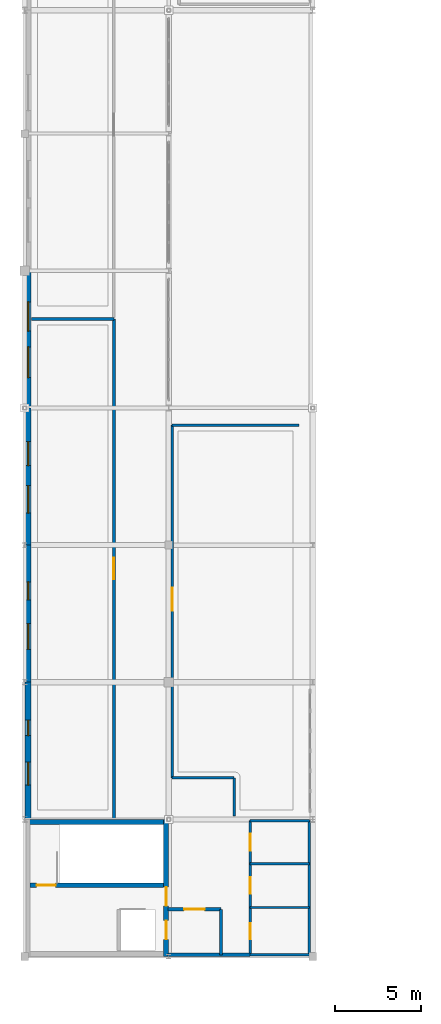
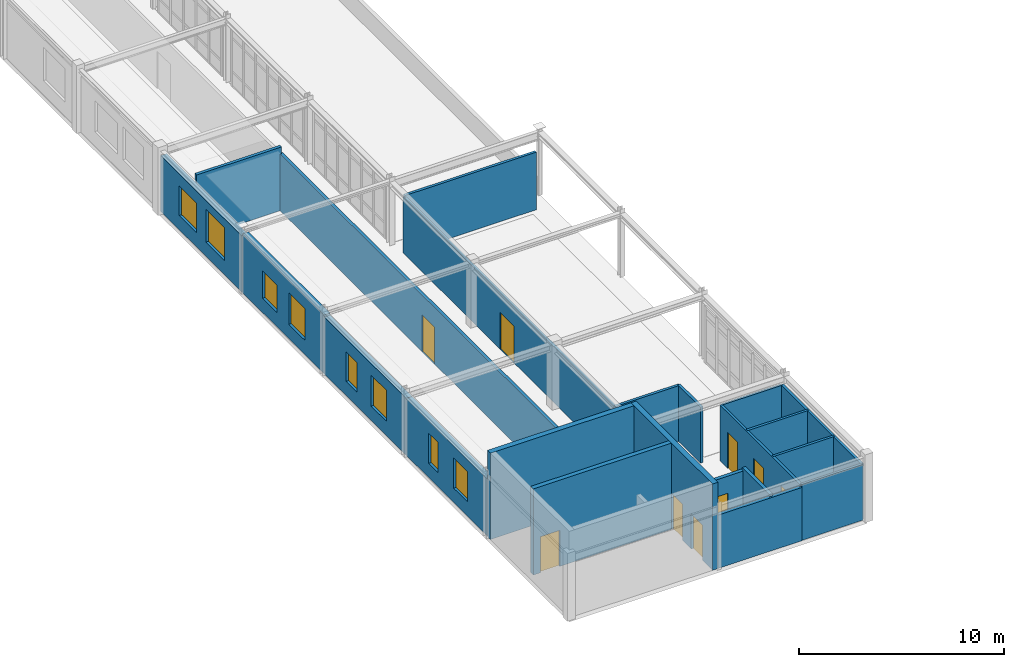
# One storey, part 49 of 58: 22 walls, 9 doors, 8 windows, 17 openings.
"""IFC4 building model written with IfcOpenShell, lengths in metres."""

from ifc_helpers import new_model, si_unit, derived_unit, direction, frame, frame_2d, origin, place, context, subcontext, project, spatial, rectangle, extrude, material, layer, layer_set, type_object, element, fill, save


model = new_model("IFC4")

# Units and contexts
model_context = context("Model", 3, precision=1e-05, world=origin(), true_north=direction((0.0, 1.0)))
body_context = subcontext(model_context, "Body", "Model", "MODEL_VIEW")
ifc_project = project(units=[si_unit("LENGTHUNIT", "METRE"), si_unit("AREAUNIT", "SQUARE_METRE"), si_unit("VOLUMEUNIT", "CUBIC_METRE"), si_unit("PLANEANGLEUNIT", "RADIAN"), si_unit("MASSUNIT", "GRAM", prefix="KILO"), derived_unit("THERMALTRANSMITTANCEUNIT", [(si_unit("POWERUNIT", "WATT"), 1), (si_unit("AREAUNIT", "SQUARE_METRE"), -1), (si_unit("THERMODYNAMICTEMPERATUREUNIT", "KELVIN"), -1)])], contexts=[model_context])

# Site, building, storey
site_placement = place(None, origin())
site = spatial("IfcSite", under=ifc_project, at=site_placement, CompositionType="ELEMENT")
building_placement = place(site_placement, origin())
building = spatial("IfcBuilding", under=site, at=building_placement, Name="Yasenodar Specialist Clinic", CompositionType="ELEMENT")
storey_placement = place(building_placement, frame((0.0, 0.0, 21.300048828125)))
storey = spatial("IfcBuildingStorey", under=building, at=storey_placement, Name="L05", CompositionType="ELEMENT", Elevation=21.300048828125)

# Wall, openings, windows
ifc_material_1 = material(Name="Buff Architectural Terracotta Rainscreen", Category="masonry")
ifc_layer_1 = layer(ifc_material_1, 0.340087890625)
ifc_layer_set_1 = layer_set([ifc_layer_1], Name="Buff Architectural Terracotta Rainscreen")
wall_type_1 = type_object("IfcWallType", Name="EW-TERR-340", PredefinedType="SOLIDWALL", material=ifc_layer_set_1)
wall_1_placement = place(storey_placement, frame((0.199951171875, 42.800048828125, 0.0), z_axis=(0.0, 0.0, 1.0), x_axis=(0.0, 1.0, 0.0)))
wall_1 = element("IfcWall", 1, at=wall_1_placement, inside=storey, type_object=wall_type_1, Name="L05 Exterior Facade Wall 0126", PredefinedType="SOLIDWALL", context=body_context, shape_type="SweptSolid", body=[
    extrude(rectangle(XDim=8.0, YDim=0.340087890625, at=frame_2d((4.0, 0.0))), origin(), (0.0, 0.0, 1.0), 3.3779296875),
])
opening_1_placement = place(wall_1_placement, frame((1.99169921875, 0.0, 0.85009765625)))
opening_1 = element("IfcOpeningElement", 2, at=opening_1_placement, cuts=wall_1, Name="Opening W-02", PredefinedType="OPENING", context=body_context, shape_type="SweptSolid", body=[
    extrude(rectangle(XDim=1.35009765625, YDim=1.800048828125, at=frame_2d((0.675048828125, 0.89990234375))), frame((0.0, 0.18017578125, 0.0), z_axis=(0.0, -1.0, 0.0), x_axis=(1.0, 0.0, 0.0)), (0.0, 0.0, 1.0), 0.360107421875),
])
opening_2_placement = place(wall_1_placement, frame((4.88330078125, 0.0, 0.85009765625)))
opening_2 = element("IfcOpeningElement", 3, at=opening_2_placement, cuts=wall_1, Name="Opening W-09", PredefinedType="OPENING", context=body_context, shape_type="SweptSolid", body=[
    extrude(rectangle(XDim=0.89990234375, YDim=1.800048828125, at=frame_2d((0.449951171875, 0.89990234375))), frame((0.0, 0.18017578125, 0.0), z_axis=(0.0, -1.0, 0.0), x_axis=(1.0, 0.0, 0.0)), (0.0, 0.0, 1.0), 0.360107421875),
])
ifc_material_2 = material(Name="Triple Low-E Argon Glazing in Bronze Aluminium Frame", Category="aluminium")
window_type_1 = type_object("IfcWindowType", Name="WIN-EXT-02", PartitioningType="SINGLE_PANEL", PredefinedType="WINDOW", material=ifc_material_2)
window_1_placement = place(opening_1_placement, origin())
window_1 = element("IfcWindow", 4, at=window_1_placement, inside=storey, type_object=window_type_1, Name="L05 Triple-Glazed Reveal Window 0137", OverallHeight=1.800048828125, OverallWidth=1.35009765625, PartitioningType="SINGLE_PANEL", PredefinedType="WINDOW", context=body_context, shape_type="SweptSolid", body=[
    extrude(rectangle(XDim=1.35009765625, YDim=1.800048828125, at=frame_2d((0.675048828125, 0.89990234375))), frame((0.0, 0.030029296875, 0.0), z_axis=(0.0, -1.0, 0.0), x_axis=(1.0, 0.0, 0.0)), (0.0, 0.0, 1.0), 0.06005859375),
])
fill(opening_1, window_1)
window_type_2 = type_object("IfcWindowType", Name="WIN-EXT-09", PartitioningType="SINGLE_PANEL", PredefinedType="WINDOW", material=ifc_material_2)
window_2_placement = place(opening_2_placement, origin())
window_2 = element("IfcWindow", 5, at=window_2_placement, inside=storey, type_object=window_type_2, Name="L05 Triple-Glazed Reveal Window 0138", OverallHeight=1.800048828125, OverallWidth=0.89990234375, PartitioningType="SINGLE_PANEL", PredefinedType="WINDOW", context=body_context, shape_type="SweptSolid", body=[
    extrude(rectangle(XDim=0.89990234375, YDim=1.800048828125, at=frame_2d((0.449951171875, 0.89990234375))), frame((0.0, 0.030029296875, 0.0), z_axis=(0.0, -1.0, 0.0), x_axis=(1.0, 0.0, 0.0)), (0.0, 0.0, 1.0), 0.06005859375),
])
fill(opening_2, window_2)

wall_2_placement = place(storey_placement, frame((0.199951171875, 50.800048828125, 0.0), z_axis=(0.0, 0.0, 1.0), x_axis=(0.0, 1.0, 0.0)))
wall_2 = element("IfcWall", 6, at=wall_2_placement, inside=storey, type_object=wall_type_1, Name="L05 Exterior Facade Wall 0127", PredefinedType="SOLIDWALL", context=body_context, shape_type="SweptSolid", body=[
    extrude(rectangle(XDim=8.0, YDim=0.340087890625, at=frame_2d((4.0, 0.0))), origin(), (0.0, 0.0, 1.0), 3.387939453125),
])
opening_3_placement = place(wall_2_placement, frame((1.916748046875, 0.0, 0.85009765625)))
opening_3 = element("IfcOpeningElement", 7, at=opening_3_placement, cuts=wall_2, Name="Opening W-03", PredefinedType="OPENING", context=body_context, shape_type="SweptSolid", body=[
    extrude(rectangle(XDim=1.5, YDim=1.85009765625, at=frame_2d((0.75, 0.925048828125))), frame((0.0, 0.18017578125, 0.0), z_axis=(0.0, -1.0, 0.0), x_axis=(1.0, 0.0, 0.0)), (0.0, 0.0, 1.0), 0.360107421875),
])
opening_4_placement = place(wall_2_placement, frame((4.808349609375, 0.0, 0.85009765625)))
opening_4 = element("IfcOpeningElement", 8, at=opening_4_placement, cuts=wall_2, Name="Opening W-10", PredefinedType="OPENING", context=body_context, shape_type="SweptSolid", body=[
    extrude(rectangle(XDim=1.050048828125, YDim=1.75, at=frame_2d((0.52490234375, 0.875))), frame((0.0, 0.18017578125, 0.0), z_axis=(0.0, -1.0, 0.0), x_axis=(1.0, 0.0, 0.0)), (0.0, 0.0, 1.0), 0.360107421875),
])
window_type_3 = type_object("IfcWindowType", Name="WIN-EXT-03", PartitioningType="SINGLE_PANEL", PredefinedType="WINDOW", material=ifc_material_2)
window_3_placement = place(opening_3_placement, origin())
window_3 = element("IfcWindow", 9, at=window_3_placement, inside=storey, type_object=window_type_3, Name="L05 Triple-Glazed Reveal Window 0139", OverallHeight=1.85009765625, OverallWidth=1.5, PartitioningType="SINGLE_PANEL", PredefinedType="WINDOW", context=body_context, shape_type="SweptSolid", body=[
    extrude(rectangle(XDim=1.5, YDim=1.85009765625, at=frame_2d((0.75, 0.925048828125))), frame((0.0, 0.030029296875, 0.0), z_axis=(0.0, -1.0, 0.0), x_axis=(1.0, 0.0, 0.0)), (0.0, 0.0, 1.0), 0.06005859375),
])
fill(opening_3, window_3)
window_type_4 = type_object("IfcWindowType", Name="WIN-EXT-10", PartitioningType="SINGLE_PANEL", PredefinedType="WINDOW", material=ifc_material_2)
window_4_placement = place(opening_4_placement, origin())
window_4 = element("IfcWindow", 10, at=window_4_placement, inside=storey, type_object=window_type_4, Name="L05 Triple-Glazed Reveal Window 0140", OverallHeight=1.75, OverallWidth=1.050048828125, PartitioningType="SINGLE_PANEL", PredefinedType="WINDOW", context=body_context, shape_type="SweptSolid", body=[
    extrude(rectangle(XDim=1.050048828125, YDim=1.75, at=frame_2d((0.52490234375, 0.875))), frame((0.0, 0.030029296875, 0.0), z_axis=(0.0, -1.0, 0.0), x_axis=(1.0, 0.0, 0.0)), (0.0, 0.0, 1.0), 0.06005859375),
])
fill(opening_4, window_4)

wall_3_placement = place(storey_placement, frame((0.199951171875, 58.800048828125, 0.0), z_axis=(0.0, 0.0, 1.0), x_axis=(0.0, 1.0, 0.0)))
wall_3 = element("IfcWall", 11, at=wall_3_placement, inside=storey, type_object=wall_type_1, Name="L05 Exterior Facade Wall 0128", PredefinedType="SOLIDWALL", context=body_context, shape_type="SweptSolid", body=[
    extrude(rectangle(XDim=8.0, YDim=0.340087890625, at=frame_2d((4.0, 0.0))), origin(), (0.0, 0.0, 1.0), 3.508056640625),
])
opening_5_placement = place(wall_3_placement, frame((1.86669921875, 0.0, 0.85009765625)))
opening_5 = element("IfcOpeningElement", 12, at=opening_5_placement, cuts=wall_3, Name="Opening W-04", PredefinedType="OPENING", context=body_context, shape_type="SweptSolid", body=[
    extrude(rectangle(XDim=1.60009765625, YDim=1.89990234375, at=frame_2d((0.800048828125, 0.949951171875))), frame((0.0, 0.18017578125, 0.0), z_axis=(0.0, -1.0, 0.0), x_axis=(1.0, 0.0, 0.0)), (0.0, 0.0, 1.0), 0.360107421875),
])
opening_6_placement = place(wall_3_placement, frame((4.63330078125, 0.0, 0.85009765625)))
opening_6 = element("IfcOpeningElement", 13, at=opening_6_placement, cuts=wall_3, Name="Opening W-11", PredefinedType="OPENING", context=body_context, shape_type="SweptSolid", body=[
    extrude(rectangle(XDim=1.39990234375, YDim=1.64990234375, at=frame_2d((0.699951171875, 0.824951171875))), frame((0.0, 0.18017578125, 0.0), z_axis=(0.0, -1.0, 0.0), x_axis=(1.0, 0.0, 0.0)), (0.0, 0.0, 1.0), 0.360107421875),
])
window_type_5 = type_object("IfcWindowType", Name="WIN-EXT-04", PartitioningType="SINGLE_PANEL", PredefinedType="WINDOW", material=ifc_material_2)
window_5_placement = place(opening_5_placement, origin())
window_5 = element("IfcWindow", 14, at=window_5_placement, inside=storey, type_object=window_type_5, Name="L05 Triple-Glazed Reveal Window 0141", OverallHeight=1.89990234375, OverallWidth=1.60009765625, PartitioningType="SINGLE_PANEL", PredefinedType="WINDOW", context=body_context, shape_type="SweptSolid", body=[
    extrude(rectangle(XDim=1.60009765625, YDim=1.89990234375, at=frame_2d((0.800048828125, 0.949951171875))), frame((0.0, 0.030029296875, 0.0), z_axis=(0.0, -1.0, 0.0), x_axis=(1.0, 0.0, 0.0)), (0.0, 0.0, 1.0), 0.06005859375),
])
fill(opening_5, window_5)
window_type_6 = type_object("IfcWindowType", Name="WIN-EXT-11", PartitioningType="SINGLE_PANEL", PredefinedType="WINDOW", material=ifc_material_2)
window_6_placement = place(opening_6_placement, origin())
window_6 = element("IfcWindow", 15, at=window_6_placement, inside=storey, type_object=window_type_6, Name="L05 Triple-Glazed Reveal Window 0142", OverallHeight=1.64990234375, OverallWidth=1.39990234375, PartitioningType="SINGLE_PANEL", PredefinedType="WINDOW", context=body_context, shape_type="SweptSolid", body=[
    extrude(rectangle(XDim=1.39990234375, YDim=1.64990234375, at=frame_2d((0.699951171875, 0.824951171875))), frame((0.0, 0.030029296875, 0.0), z_axis=(0.0, -1.0, 0.0), x_axis=(1.0, 0.0, 0.0)), (0.0, 0.0, 1.0), 0.06005859375),
])
fill(opening_6, window_6)

wall_4_placement = place(storey_placement, frame((0.199951171875, 66.800048828125, 0.0), z_axis=(0.0, 0.0, 1.0), x_axis=(0.0, 1.0, 0.0)))
wall_4 = element("IfcWall", 16, at=wall_4_placement, inside=storey, type_object=wall_type_1, Name="L05 Exterior Facade Wall 0129", PredefinedType="SOLIDWALL", context=body_context, shape_type="SweptSolid", body=[
    extrude(rectangle(XDim=8.0, YDim=0.340087890625, at=frame_2d((4.0, 0.0))), origin(), (0.0, 0.0, 1.0), 3.327880859375),
])
opening_7_placement = place(wall_4_placement, frame((1.7666015625, 0.0, 0.85009765625)))
opening_7 = element("IfcOpeningElement", 17, at=opening_7_placement, cuts=wall_4, Name="Opening W-05", PredefinedType="OPENING", context=body_context, shape_type="SweptSolid", body=[
    extrude(rectangle(XDim=1.800048828125, YDim=1.949951171875, at=frame_2d((0.89990234375, 0.97509765625))), frame((0.0, 0.18017578125, 0.0), z_axis=(0.0, -1.0, 0.0), x_axis=(1.0, 0.0, 0.0)), (0.0, 0.0, 1.0), 0.360107421875),
])
opening_8_placement = place(wall_4_placement, frame((4.4833984375, 0.0, 0.85009765625)))
opening_8 = element("IfcOpeningElement", 18, at=opening_8_placement, cuts=wall_4, Name="Opening W-12", PredefinedType="OPENING", context=body_context, shape_type="SweptSolid", body=[
    extrude(rectangle(XDim=1.699951171875, YDim=1.75, at=frame_2d((0.85009765625, 0.875))), frame((0.0, 0.18017578125, 0.0), z_axis=(0.0, -1.0, 0.0), x_axis=(1.0, 0.0, 0.0)), (0.0, 0.0, 1.0), 0.360107421875),
])
window_type_7 = type_object("IfcWindowType", Name="WIN-EXT-05", PartitioningType="SINGLE_PANEL", PredefinedType="WINDOW", material=ifc_material_2)
window_7_placement = place(opening_7_placement, origin())
window_7 = element("IfcWindow", 19, at=window_7_placement, inside=storey, type_object=window_type_7, Name="L05 Triple-Glazed Reveal Window 0143", OverallHeight=1.949951171875, OverallWidth=1.800048828125, PartitioningType="SINGLE_PANEL", PredefinedType="WINDOW", context=body_context, shape_type="SweptSolid", body=[
    extrude(rectangle(XDim=1.800048828125, YDim=1.949951171875, at=frame_2d((0.89990234375, 0.97509765625))), frame((0.0, 0.030029296875, 0.0), z_axis=(0.0, -1.0, 0.0), x_axis=(1.0, 0.0, 0.0)), (0.0, 0.0, 1.0), 0.06005859375),
])
fill(opening_7, window_7)
window_type_8 = type_object("IfcWindowType", Name="WIN-EXT-12", PartitioningType="SINGLE_PANEL", PredefinedType="WINDOW", material=ifc_material_2)
window_8_placement = place(opening_8_placement, origin())
window_8 = element("IfcWindow", 20, at=window_8_placement, inside=storey, type_object=window_type_8, Name="L05 Triple-Glazed Reveal Window 0144", OverallHeight=1.75, OverallWidth=1.699951171875, PartitioningType="SINGLE_PANEL", PredefinedType="WINDOW", context=body_context, shape_type="SweptSolid", body=[
    extrude(rectangle(XDim=1.699951171875, YDim=1.75, at=frame_2d((0.85009765625, 0.875))), frame((0.0, 0.030029296875, 0.0), z_axis=(0.0, -1.0, 0.0), x_axis=(1.0, 0.0, 0.0)), (0.0, 0.0, 1.0), 0.06005859375),
])
fill(opening_8, window_8)

# Wall, opening, door
ifc_material_3 = material(Name="Outpatient Examination Partition")
ifc_layer_2 = layer(ifc_material_3, 0.14990234375)
ifc_layer_set_2 = layer_set([ifc_layer_2], Name="Outpatient Examination Partition")
wall_type_2 = type_object("IfcWallType", Name="IW-CONS-150", PredefinedType="PARTITIONING", material=ifc_layer_set_2)
wall_5_placement = place(storey_placement, frame((8.60009765625, 45.219970703125, 0.0), z_axis=(0.0, 0.0, 1.0), x_axis=(0.0, 1.0, 0.0)))
wall_5 = element("IfcWall", 21, at=wall_5_placement, inside=storey, type_object=wall_type_2, Name="L05 Preventive Health Screening Clinic Partition", PredefinedType="PARTITIONING", context=body_context, shape_type="SweptSolid", body=[
    extrude(rectangle(XDim=20.580078125, YDim=0.14990234375, at=frame_2d((10.2900390625, 0.0))), origin(), (0.0, 0.0, 1.0), 3.327880859375),
])
opening_9_placement = place(wall_5_placement, frame((9.739990234375, 0.0, 0.0)))
opening_9 = element("IfcOpeningElement", 22, at=opening_9_placement, cuts=wall_5, Name="Opening D-11", PredefinedType="OPENING", context=body_context, shape_type="SweptSolid", body=[
    extrude(rectangle(XDim=1.360107421875, YDim=2.199951171875, at=frame_2d((0.68017578125, 1.10009765625))), frame((0.0, 0.0849609375, 0.0), z_axis=(0.0, -1.0, 0.0), x_axis=(1.0, 0.0, 0.0)), (0.0, 0.0, 1.0), 0.169921875),
])
ifc_material_4 = material(Name="Powder-Coated Steel and Acoustic Laminate Leaf", Category="steel")
door_type_1 = type_object("IfcDoorType", Name="DR-PLT-136", OperationType="NOTDEFINED", PredefinedType="DOOR", material=ifc_material_4)
door_1_placement = place(opening_9_placement, origin())
door_1 = element("IfcDoor", 23, at=door_1_placement, inside=storey, type_object=door_type_1, Name="L05 Preventive Health Screening Clinic Door", OperationType="SINGLE_SWING_RIGHT", OverallHeight=2.199951171875, OverallWidth=1.360107421875, PredefinedType="DOOR", context=body_context, shape_type="SweptSolid", body=[
    extrude(rectangle(XDim=1.360107421875, YDim=2.199951171875, at=frame_2d((0.68017578125, 1.10009765625))), frame((0.0, 0.02490234375, 0.0), z_axis=(0.0, -1.0, 0.0), x_axis=(1.0, 0.0, 0.0)), (0.0, 0.0, 1.0), 0.050048828125),
])
fill(opening_9, door_1)

# Walls
wall_6_placement = place(storey_placement, frame((12.219970703125, 45.219970703125, 0.0), z_axis=(0.0, 0.0, 1.0), x_axis=(-1.0, 0.0, 0.0)))
element("IfcWall", 24, at=wall_6_placement, inside=storey, type_object=wall_type_2, Name="L05 Preventive Health Screening Clinic Partition", PredefinedType="PARTITIONING", context=body_context, shape_type="SweptSolid", body=[
    extrude(rectangle(XDim=3.619873046875, YDim=0.14990234375, at=frame_2d((1.81005859375, 0.0))), origin(), (0.0, 0.0, 1.0), 3.327880859375),
])
wall_7_placement = place(storey_placement, frame((12.219970703125, 43.0, 0.0), z_axis=(0.0, 0.0, 1.0), x_axis=(0.0, 1.0, 0.0)))
element("IfcWall", 25, at=wall_7_placement, inside=storey, type_object=wall_type_2, Name="L05 Preventive Health Screening Clinic Partition", PredefinedType="PARTITIONING", context=body_context, shape_type="SweptSolid", body=[
    extrude(rectangle(XDim=2.219970703125, YDim=0.14990234375, at=frame_2d((1.10986328125, 0.0))), origin(), (0.0, 0.0, 1.0), 3.337890625),
])
wall_8_placement = place(storey_placement, frame((8.60009765625, 65.800048828125, 0.0), z_axis=(0.0, 0.0, 1.0), x_axis=(1.0, 0.0, 0.0)))
element("IfcWall", 26, at=wall_8_placement, inside=storey, type_object=wall_type_2, Name="L05 Preventive Health Screening Clinic Partition", PredefinedType="PARTITIONING", context=body_context, shape_type="SweptSolid", body=[
    extrude(rectangle(XDim=7.39990234375, YDim=0.14990234375, at=frame_2d((3.699951171875, 0.0))), origin(), (0.0, 0.0, 1.0), 3.43798828125),
])

# Wall, opening, door
ifc_material_5 = material(Name="Cleanroom Laboratory Partition")
ifc_layer_3 = layer(ifc_material_5, 0.169921875)
ifc_layer_set_3 = layer_set([ifc_layer_3], Name="Cleanroom Laboratory Partition")
wall_type_3 = type_object("IfcWallType", Name="IW-LAB-170", PredefinedType="PARTITIONING", material=ifc_layer_set_3)
wall_9_placement = place(storey_placement, frame((5.199951171875, 72.0, 0.0), z_axis=(0.0, 0.0, 1.0), x_axis=(0.0, -1.0, 0.0)))
wall_9 = element("IfcWall", 27, at=wall_9_placement, inside=storey, type_object=wall_type_3, Name="L05 Clinical Genetics Counseling Suite Partition", PredefinedType="PARTITIONING", context=body_context, shape_type="SweptSolid", body=[
    extrude(rectangle(XDim=29.219970703125, YDim=0.169921875, at=frame_2d((14.60986328125, 0.0))), origin(), (0.0, 0.0, 1.0), 3.3779296875),
])
opening_10_placement = place(wall_9_placement, frame((13.949951171875, 0.0, 0.0)))
opening_10 = element("IfcOpeningElement", 28, at=opening_10_placement, cuts=wall_9, Name="Opening D-07", PredefinedType="OPENING", context=body_context, shape_type="SweptSolid", body=[
    extrude(rectangle(XDim=1.239990234375, YDim=2.199951171875, at=frame_2d((0.6201171875, 1.10009765625))), frame((0.0, 0.094970703125, 0.0), z_axis=(0.0, -1.0, 0.0), x_axis=(1.0, 0.0, 0.0)), (0.0, 0.0, 1.0), 0.18994140625),
])
door_type_2 = type_object("IfcDoorType", Name="DR-CLN-124", OperationType="NOTDEFINED", PredefinedType="DOOR", material=ifc_material_4)
door_2_placement = place(opening_10_placement, origin())
door_2 = element("IfcDoor", 29, at=door_2_placement, inside=storey, type_object=door_type_2, Name="L05 Clinical Genetics Counseling Suite Door", OperationType="SINGLE_SWING_RIGHT", OverallHeight=2.199951171875, OverallWidth=1.239990234375, PredefinedType="DOOR", context=body_context, shape_type="SweptSolid", body=[
    extrude(rectangle(XDim=1.239990234375, YDim=2.199951171875, at=frame_2d((0.6201171875, 1.10009765625))), frame((0.0, 0.02490234375, 0.0), z_axis=(0.0, -1.0, 0.0), x_axis=(1.0, 0.0, 0.0)), (0.0, 0.0, 1.0), 0.050048828125),
])
fill(opening_10, door_2)

# Wall
wall_10_placement = place(storey_placement, frame((0.39990234375, 72.0, 0.0), z_axis=(0.0, 0.0, 1.0), x_axis=(1.0, 0.0, 0.0)))
element("IfcWall", 30, at=wall_10_placement, inside=storey, type_object=wall_type_3, Name="L05 Clinical Genetics Counseling Suite Partition", PredefinedType="PARTITIONING", context=body_context, shape_type="SweptSolid", body=[
    extrude(rectangle(XDim=4.800048828125, YDim=0.169921875, at=frame_2d((2.39990234375, 0.0))), origin(), (0.0, 0.0, 1.0), 3.780029296875),
])

# Wall, opening, door
ifc_material_6 = material(Name="Fire-Rated Gypsum and Mineral-Wool Wall")
ifc_layer_4 = layer(ifc_material_6, 0.195068359375)
ifc_layer_set_4 = layer_set([ifc_layer_4], Name="Fire-Rated Gypsum and Mineral-Wool Wall")
wall_type_4 = type_object("IfcWallType", Name="IW-LOBBY-195", PredefinedType="PARTITIONING", material=ifc_layer_set_4)
wall_11_placement = place(storey_placement, frame((8.35009765625, 37.550048828125, 0.0), z_axis=(0.0, 0.0, 1.0), x_axis=(1.0, 0.0, 0.0)))
wall_11 = element("IfcWall", 31, at=wall_11_placement, inside=storey, type_object=wall_type_4, Name="L05 C1 Passenger Lift Lobby North Wall", PredefinedType="PARTITIONING", context=body_context, shape_type="SweptSolid", body=[
    extrude(rectangle(XDim=3.099853515625, YDim=0.195068359375, at=frame_2d((1.5498046875, 0.0))), origin(), (0.0, 0.0, 1.0), 3.177978515625),
])
opening_11_placement = place(wall_11_placement, frame((0.949951171875, 0.0, 0.0)))
opening_11 = element("IfcOpeningElement", 32, at=opening_11_placement, cuts=wall_11, Name="Opening FD-02", PredefinedType="OPENING", context=body_context, shape_type="SweptSolid", body=[
    extrude(rectangle(XDim=1.199951171875, YDim=2.14990234375, at=frame_2d((0.60009765625, 1.074951171875))), frame((0.0, 0.107421875, 0.0), z_axis=(0.0, -1.0, 0.0), x_axis=(1.0, 0.0, 0.0)), (0.0, 0.0, 1.0), 0.215087890625),
])
ifc_material_7 = material(Name="Fire-Rated Insulated Steel Door", Category="steel")
door_type_3 = type_object("IfcDoorType", Name="DR-FD-120", OperationType="NOTDEFINED", PredefinedType="DOOR", material=ifc_material_7)
door_3_placement = place(opening_11_placement, origin())
door_3 = element("IfcDoor", 33, at=door_3_placement, inside=storey, type_object=door_type_3, Name="L05 C1 Passenger Lift Lobby Door", OperationType="SINGLE_SWING_RIGHT", OverallHeight=2.14990234375, OverallWidth=1.199951171875, PredefinedType="DOOR", context=body_context, shape_type="SweptSolid", body=[
    extrude(rectangle(XDim=1.199951171875, YDim=2.14990234375, at=frame_2d((0.60009765625, 1.074951171875))), frame((0.0, 0.02490234375, 0.0), z_axis=(0.0, -1.0, 0.0), x_axis=(1.0, 0.0, 0.0)), (0.0, 0.0, 1.0), 0.050048828125),
])
fill(opening_11, door_3)

# Walls
wall_12_placement = place(storey_placement, frame((11.449951171875, 34.89990234375, 0.0), z_axis=(0.0, 0.0, 1.0), x_axis=(0.0, 1.0, 0.0)))
element("IfcWall", 34, at=wall_12_placement, inside=storey, type_object=wall_type_4, Name="L05 C1 Passenger Lift Lobby East Wall", PredefinedType="PARTITIONING", context=body_context, shape_type="SweptSolid", body=[
    extrude(rectangle(XDim=2.650146484375, YDim=0.195068359375, at=frame_2d((1.3251953125, 0.0))), origin(), (0.0, 0.0, 1.0), 3.327880859375),
])
wall_13_placement = place(storey_placement, frame((8.35009765625, 34.89990234375, 0.0), z_axis=(0.0, 0.0, 1.0), x_axis=(1.0, 0.0, 0.0)))
element("IfcWall", 35, at=wall_13_placement, inside=storey, type_object=wall_type_4, Name="L05 C1 Passenger Lift Lobby South Wall", PredefinedType="PARTITIONING", context=body_context, shape_type="SweptSolid", body=[
    extrude(rectangle(XDim=4.7998046875, YDim=0.195068359375, at=frame_2d((2.39990234375, 0.0))), origin(), (0.0, 0.0, 1.0), 3.177978515625),
])

# Wall, openings, doors
ifc_material_8 = material(Name="Moisture-Resistant Sanitary Partition")
ifc_layer_5 = layer(ifc_material_8, 0.139892578125)
ifc_layer_set_5 = layer_set([ifc_layer_5], Name="Moisture-Resistant Sanitary Partition")
wall_type_5 = type_object("IfcWallType", Name="IW-WET-140", PredefinedType="PARTITIONING", material=ifc_layer_set_5)
wall_14_placement = place(storey_placement, frame((13.14990234375, 34.89990234375, 0.0), z_axis=(0.0, 0.0, 1.0), x_axis=(0.0, 1.0, 0.0)))
wall_14 = element("IfcWall", 36, at=wall_14_placement, inside=storey, type_object=wall_type_5, Name="L05 West Sanitary Block Corridor Wall", PredefinedType="PARTITIONING", context=body_context, shape_type="SweptSolid", body=[
    extrude(rectangle(XDim=7.820068359375, YDim=0.139892578125, at=frame_2d((3.91015625, 0.0))), origin(), (0.0, 0.0, 1.0), 3.327880859375),
])
opening_12_placement = place(wall_14_placement, frame((0.89990234375, 0.0, 0.0)))
opening_12 = element("IfcOpeningElement", 37, at=opening_12_placement, cuts=wall_14, Name="Opening D-01", PredefinedType="OPENING", context=body_context, shape_type="SweptSolid", body=[
    extrude(rectangle(XDim=0.949951171875, YDim=2.1201171875, at=frame_2d((0.47509765625, 1.06005859375))), frame((0.0, 0.080078125, 0.0), z_axis=(0.0, -1.0, 0.0), x_axis=(1.0, 0.0, 0.0)), (0.0, 0.0, 1.0), 0.159912109375),
])
opening_13_placement = place(wall_14_placement, frame((3.550048828125, 0.0, 0.0)))
opening_13 = element("IfcOpeningElement", 38, at=opening_13_placement, cuts=wall_14, Name="Opening D-02", PredefinedType="OPENING", context=body_context, shape_type="SweptSolid", body=[
    extrude(rectangle(XDim=0.97998046875, YDim=2.139892578125, at=frame_2d((0.489990234375, 1.06982421875))), frame((0.0, 0.080078125, 0.0), z_axis=(0.0, -1.0, 0.0), x_axis=(1.0, 0.0, 0.0)), (0.0, 0.0, 1.0), 0.159912109375),
])
opening_14_placement = place(wall_14_placement, frame((6.080078125, 0.0, 0.0)))
opening_14 = element("IfcOpeningElement", 39, at=opening_14_placement, cuts=wall_14, Name="Opening D-02", PredefinedType="OPENING", context=body_context, shape_type="SweptSolid", body=[
    extrude(rectangle(XDim=0.97998046875, YDim=2.139892578125, at=frame_2d((0.489990234375, 1.06982421875))), frame((0.0, 0.080078125, 0.0), z_axis=(0.0, -1.0, 0.0), x_axis=(1.0, 0.0, 0.0)), (0.0, 0.0, 1.0), 0.159912109375),
])
door_type_4 = type_object("IfcDoorType", Name="DR-CLN-095", OperationType="NOTDEFINED", PredefinedType="DOOR", material=ifc_material_4)
door_4_placement = place(opening_12_placement, origin())
door_4 = element("IfcDoor", 40, at=door_4_placement, inside=storey, type_object=door_type_4, Name="L05 Accessible WC Door", OperationType="SINGLE_SWING_LEFT", OverallHeight=2.1201171875, OverallWidth=0.949951171875, PredefinedType="DOOR", context=body_context, shape_type="SweptSolid", body=[
    extrude(rectangle(XDim=0.949951171875, YDim=2.1201171875, at=frame_2d((0.47509765625, 1.06005859375))), frame((0.0, 0.02490234375, 0.0), z_axis=(0.0, -1.0, 0.0), x_axis=(1.0, 0.0, 0.0)), (0.0, 0.0, 1.0), 0.050048828125),
])
fill(opening_12, door_4)
door_type_5 = type_object("IfcDoorType", Name="DR-CLN-098", OperationType="NOTDEFINED", PredefinedType="DOOR", material=ifc_material_4)
door_5_placement = place(opening_13_placement, origin())
door_5 = element("IfcDoor", 41, at=door_5_placement, inside=storey, type_object=door_type_5, Name="L05 Patient Washroom WC Door", OperationType="SINGLE_SWING_RIGHT", OverallHeight=2.139892578125, OverallWidth=0.97998046875, PredefinedType="DOOR", context=body_context, shape_type="SweptSolid", body=[
    extrude(rectangle(XDim=0.97998046875, YDim=2.139892578125, at=frame_2d((0.489990234375, 1.06982421875))), frame((0.0, 0.02490234375, 0.0), z_axis=(0.0, -1.0, 0.0), x_axis=(1.0, 0.0, 0.0)), (0.0, 0.0, 1.0), 0.050048828125),
])
fill(opening_13, door_5)
door_6_placement = place(opening_14_placement, origin())
door_6 = element("IfcDoor", 42, at=door_6_placement, inside=storey, type_object=door_type_5, Name="L05 Staff Washroom WC Door", OperationType="SINGLE_SWING_LEFT", OverallHeight=2.139892578125, OverallWidth=0.97998046875, PredefinedType="DOOR", context=body_context, shape_type="SweptSolid", body=[
    extrude(rectangle(XDim=0.97998046875, YDim=2.139892578125, at=frame_2d((0.489990234375, 1.06982421875))), frame((0.0, 0.02490234375, 0.0), z_axis=(0.0, -1.0, 0.0), x_axis=(1.0, 0.0, 0.0)), (0.0, 0.0, 1.0), 0.050048828125),
])
fill(opening_14, door_6)

# Walls
wall_15_placement = place(storey_placement, frame((16.60009765625, 34.89990234375, 0.0), z_axis=(0.0, 0.0, 1.0), x_axis=(0.0, 1.0, 0.0)))
element("IfcWall", 43, at=wall_15_placement, inside=storey, type_object=wall_type_5, Name="L05 West Sanitary Block East Wall", PredefinedType="PARTITIONING", context=body_context, shape_type="SweptSolid", body=[
    extrude(rectangle(XDim=7.820068359375, YDim=0.139892578125, at=frame_2d((3.91015625, 0.0))), origin(), (0.0, 0.0, 1.0), 3.327880859375),
])
for number, where, z_axis, x_axis, name in (
    (44, (13.14990234375, 34.89990234375, 0.0), (0.0, 0.0, 1.0), (1.0, 0.0, 0.0), "L05 West Sanitary Block South Wall"),
    (45, (13.14990234375, 42.719970703125, 0.0), (0.0, 0.0, 1.0), (1.0, 0.0, 0.0), "L05 West Sanitary Block North Wall"),
    (46, (13.14990234375, 37.659912109375, 0.0), (0.0, 0.0, 1.0), (1.0, 0.0, 0.0), "L05 West Accessible WC Divider Wall"),
    (47, (13.14990234375, 40.2099609375, 0.0), (0.0, 0.0, 1.0), (1.0, 0.0, 0.0), "L05 West Patient and Staff WC Divider Wall"),
):
    element("IfcWall", number, at=place(storey_placement, frame(where, z_axis=z_axis, x_axis=x_axis)), inside=storey, type_object=wall_type_5, Name=name, PredefinedType="PARTITIONING", context=body_context, shape_type="SweptSolid", body=[
        extrude(rectangle(XDim=3.4501953125, YDim=0.139892578125, at=frame_2d((1.72509765625, 0.0))), origin(), (0.0, 0.0, 1.0), 3.327880859375),
    ])

# Wall, opening, door
ifc_material_9 = material(Name="Concrete C35/45", Category="concrete")
ifc_layer_6 = layer(ifc_material_9, 0.25)
ifc_layer_set_6 = layer_set([ifc_layer_6], Name="Concrete C35/45")
wall_type_6 = type_object("IfcWallType", Name="WL-CORE-250", PredefinedType="SHEAR", material=ifc_layer_set_6)
wall_16_placement = place(storey_placement, frame((0.300048828125, 38.949951171875, 0.0), z_axis=(0.0, 0.0, 1.0), x_axis=(1.0, 0.0, 0.0)))
wall_16 = element("IfcWall", 48, at=wall_16_placement, inside=storey, type_object=wall_type_6, Name="L05 Core C1 Central Spine Wall", PredefinedType="SHEAR", context=body_context, shape_type="SweptSolid", body=[
    extrude(rectangle(XDim=7.800048828125, YDim=0.25, at=frame_2d((3.89990234375, 0.0))), origin(), (0.0, 0.0, 1.0), 5.14990234375),
])
opening_15_placement = place(wall_16_placement, frame((0.39990234375, 0.0, 0.0)))
opening_15 = element("IfcOpeningElement", 49, at=opening_15_placement, cuts=wall_16, Name="Opening FD-01", PredefinedType="OPENING", context=body_context, shape_type="SweptSolid", body=[
    extrude(rectangle(XDim=1.10009765625, YDim=2.14990234375, at=frame_2d((0.550048828125, 1.074951171875))), frame((0.0, 0.135009765625, 0.0), z_axis=(0.0, -1.0, 0.0), x_axis=(1.0, 0.0, 0.0)), (0.0, 0.0, 1.0), 0.27001953125),
])
door_type_6 = type_object("IfcDoorType", Name="DR-FD-110", OperationType="NOTDEFINED", PredefinedType="DOOR", material=ifc_material_7)
door_7_placement = place(opening_15_placement, origin())
door_7 = element("IfcDoor", 50, at=door_7_placement, inside=storey, type_object=door_type_6, Name="L05 ST-01 Protected Stair Door", OperationType="SINGLE_SWING_LEFT", OverallHeight=2.14990234375, OverallWidth=1.10009765625, PredefinedType="DOOR", context=body_context, shape_type="SweptSolid", body=[
    extrude(rectangle(XDim=1.10009765625, YDim=2.14990234375, at=frame_2d((0.550048828125, 1.074951171875))), frame((0.0, 0.02490234375, 0.0), z_axis=(0.0, -1.0, 0.0), x_axis=(1.0, 0.0, 0.0)), (0.0, 0.0, 1.0), 0.050048828125),
])
fill(opening_15, door_7)

# Wall
ifc_layer_7 = layer(ifc_material_9, 0.300048828125)
ifc_layer_set_7 = layer_set([ifc_layer_7], Name="Concrete C35/45")
wall_type_7 = type_object("IfcWallType", Name="WL-CORE-300", PredefinedType="SHEAR", material=ifc_layer_set_7)
wall_17_placement = place(storey_placement, frame((0.0, 42.64990234375, 0.0), z_axis=(0.0, 0.0, 1.0), x_axis=(1.0, 0.0, 0.0)))
element("IfcWall", 51, at=wall_17_placement, inside=storey, type_object=wall_type_7, Name="L05 Core C1 North Shear Wall", PredefinedType="SHEAR", context=body_context, shape_type="SweptSolid", body=[
    extrude(rectangle(XDim=8.39990234375, YDim=0.300048828125, at=frame_2d((4.199951171875, 0.0))), origin(), (0.0, 0.0, 1.0), 5.14990234375),
])

# Wall, openings, doors
wall_18_placement = place(storey_placement, frame((8.25, 34.800048828125, 0.0), z_axis=(0.0, 0.0, 1.0), x_axis=(0.0, 1.0, 0.0)))
wall_18 = element("IfcWall", 52, at=wall_18_placement, inside=storey, type_object=wall_type_7, Name="L05 Core C1 East Shear Wall", PredefinedType="SHEAR", context=body_context, shape_type="SweptSolid", body=[
    extrude(rectangle(XDim=8.0, YDim=0.300048828125, at=frame_2d((4.0, 0.0))), origin(), (0.0, 0.0, 1.0), 5.14990234375),
])
opening_16_placement = place(wall_18_placement, frame((2.949951171875, 0.0, 0.0)))
opening_16 = element("IfcOpeningElement", 53, at=opening_16_placement, cuts=wall_18, Name="Opening FD-01", PredefinedType="OPENING", context=body_context, shape_type="SweptSolid", body=[
    extrude(rectangle(XDim=1.10009765625, YDim=2.14990234375, at=frame_2d((0.550048828125, 1.074951171875))), frame((0.0, 0.16015625, 0.0), z_axis=(0.0, -1.0, 0.0), x_axis=(1.0, 0.0, 0.0)), (0.0, 0.0, 1.0), 0.320068359375),
])
opening_17_placement = place(wall_18_placement, frame((1.0, 0.0, 0.0)))
opening_17 = element("IfcOpeningElement", 54, at=opening_17_placement, cuts=wall_18, Name="Opening LD-03", PredefinedType="OPENING", context=body_context, shape_type="SweptSolid", body=[
    extrude(rectangle(XDim=1.10009765625, YDim=2.10009765625, at=frame_2d((0.550048828125, 1.050048828125))), frame((0.0, 0.16015625, 0.0), z_axis=(0.0, -1.0, 0.0), x_axis=(1.0, 0.0, 0.0)), (0.0, 0.0, 1.0), 0.320068359375),
])
door_8_placement = place(opening_16_placement, origin())
door_8 = element("IfcDoor", 55, at=door_8_placement, inside=storey, type_object=door_type_6, Name="L05 Stair ST-01 Vestibule Door", OperationType="SINGLE_SWING_LEFT", OverallHeight=2.14990234375, OverallWidth=1.10009765625, PredefinedType="DOOR", context=body_context, shape_type="SweptSolid", body=[
    extrude(rectangle(XDim=1.10009765625, YDim=2.14990234375, at=frame_2d((0.550048828125, 1.074951171875))), frame((0.0, 0.02490234375, 0.0), z_axis=(0.0, -1.0, 0.0), x_axis=(1.0, 0.0, 0.0)), (0.0, 0.0, 1.0), 0.050048828125),
])
fill(opening_16, door_8)
door_type_7 = type_object("IfcDoorType", Name="DR-LD-110", OperationType="DOUBLE_DOOR_SLIDING", PredefinedType="DOOR", material=ifc_material_7)
door_9_placement = place(opening_17_placement, origin())
door_9 = element("IfcDoor", 56, at=door_9_placement, inside=storey, type_object=door_type_7, Name="L05 LF-01 Lift Landing Door", OperationType="DOUBLE_DOOR_SLIDING", OverallHeight=2.10009765625, OverallWidth=1.10009765625, PredefinedType="DOOR", context=body_context, shape_type="SweptSolid", body=[
    extrude(rectangle(XDim=1.10009765625, YDim=2.10009765625, at=frame_2d((0.550048828125, 1.050048828125))), frame((0.0, 0.02490234375, 0.0), z_axis=(0.0, -1.0, 0.0), x_axis=(1.0, 0.0, 0.0)), (0.0, 0.0, 1.0), 0.050048828125),
])
fill(opening_17, door_9)

save(model, "model.ifc")
